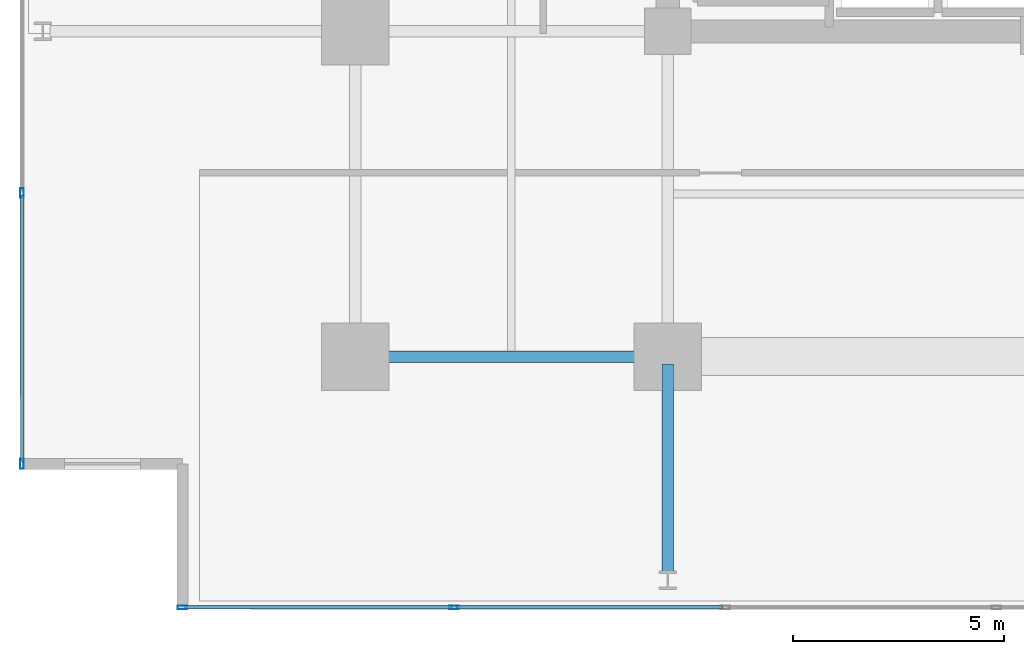
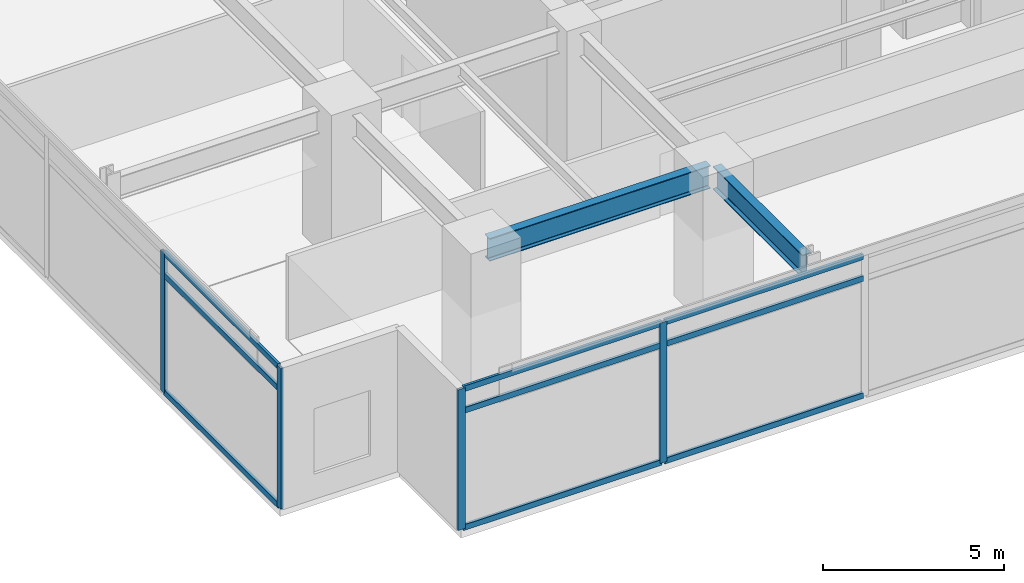
# One storey, part 2 of 20: 13 members, 2 beams, 2 elements without a shape of their own.
"""IFC4 building model written with IfcOpenShell, lengths in metres."""

from ifc_helpers import new_model, si_unit, direction, frame, origin, origin_2d, place, context, subcontext, project, spatial, hollow_rectangle, i_section, extrude, material, material_profile, profile_set, type_object, element, aggregate, save


model = new_model("IFC4")

# Units and contexts
model_context = context("Model", 3, precision=1e-05, world=origin(), true_north=direction((0.0, 1.0)))
body_context = subcontext(model_context, "Body", "Model", "MODEL_VIEW")
ifc_project = project(units=[si_unit("LENGTHUNIT", "METRE"), si_unit("AREAUNIT", "SQUARE_METRE"), si_unit("VOLUMEUNIT", "CUBIC_METRE"), si_unit("PLANEANGLEUNIT", "RADIAN"), si_unit("MASSUNIT", "GRAM", prefix="KILO")], contexts=[model_context])

# Site, building, storey
site_placement = place(None, origin())
site = spatial("IfcSite", under=ifc_project, at=site_placement, CompositionType="ELEMENT")
building_placement = place(site_placement, origin())
building = spatial("IfcBuilding", under=site, at=building_placement, Name="Kovane Verandah Tower", CompositionType="ELEMENT")
storey_placement = place(building_placement, frame((0.0, 0.0, 123.39990234375)))
storey = spatial("IfcBuildingStorey", under=building, at=storey_placement, Name="L28", CompositionType="ELEMENT", Elevation=123.39990234375)

# Beams
ifc_material_1 = material(Name="Steel S355", Category="steel")
ifc_material_profile_1 = material_profile(ifc_material_1, i_section(OverallWidth=0.26806640625, OverallDepth=0.769775390625, WebThickness=0.015625, FlangeThickness=0.025390625, FilletRadius=0.0166015625, at=origin_2d()), Name="UB762x267x197")
ifc_profile_set_1 = profile_set([ifc_material_profile_1], Name="Steel S355")
beam_type = type_object("IfcBeamType", Name="BM-UB762x197", PredefinedType="BEAM", material=ifc_profile_set_1)
beam_1_placement = place(storey_placement, frame((21.780029296875, 10.800048828125, 4.39013671875), z_axis=(1.0, 0.0, 0.0), x_axis=(0.0, 1.0, 0.0)))
element("IfcBeam", 1, at=beam_1_placement, inside=storey, type_object=beam_type, Name="L28 Primary Tower Girder G-RS1", PredefinedType="BEAM", context=body_context, shape_type="SweptSolid", body=[
    extrude(i_section(OverallWidth=0.26806640625, OverallDepth=0.769775390625, WebThickness=0.015625, FlangeThickness=0.025390625, FilletRadius=0.0166015625, at=origin_2d()), origin(), (0.0, 0.0, 1.0), 7.0400390625),
])
beam_2_placement = place(storey_placement, frame((29.0, 10.6201171875, 4.375244140625), z_axis=(0.0, -1.0, 0.0), x_axis=(1.0, 0.0, 0.0)))
element("IfcBeam", 2, at=beam_2_placement, inside=storey, type_object=beam_type, Name="L28 Primary Tower Girder G-VS1", PredefinedType="BEAM", context=body_context, shape_type="SweptSolid", body=[
    extrude(i_section(OverallWidth=0.26806640625, OverallDepth=0.769775390625, WebThickness=0.015625, FlangeThickness=0.025390625, FilletRadius=0.0166015625, at=origin_2d()), origin(), (0.0, 0.0, 1.0), 4.940185546875),
])

# Curtain wall, members
ifc_material_2 = material(Name="Champagne Anodised Aluminium Frame with Low-E Clear Laminated Glass", Category="aluminium")
curtain_wall_type = type_object("IfcCurtainWallType", Name="CW-SYS-03-MID", PredefinedType="NOTDEFINED", material=ifc_material_2)
curtain_wall_1_placement = place(storey_placement, origin())
curtain_wall_1 = element("IfcCurtainWall", 3, at=curtain_wall_1_placement, inside=storey, type_object=curtain_wall_type, Name="L28 S Unitised Curtain Wall", PredefinedType="NOTDEFINED")
ifc_material_3 = material(Name="Champagne Anodised Aluminium 6063-T6", Category="aluminium")
ifc_material_profile_2 = material_profile(ifc_material_3, hollow_rectangle(XDim=0.0849609375, YDim=0.22998046875, WallThickness=0.00390625, at=origin_2d()), Name="AL85x230x4")
ifc_profile_set_2 = profile_set([ifc_material_profile_2], Name="Champagne Anodised Aluminium 6063-T6")
member_type_1 = type_object("IfcMemberType", Name="CW-MUL-85x230", PredefinedType="MULLION", material=ifc_profile_set_2)
member_1_placement = place(storey_placement, frame((17.515380859375, 4.86083984375, 0.02001953125), z_axis=(0.0, 0.0, 1.0), x_axis=(0.0, -1.0, 0.0)))
member_1 = element("IfcMember", 4, at=member_1_placement, type_object=member_type_1, Name="L28 S Unitised Curtain Wall Mullion 1", PredefinedType="MULLION", context=body_context, shape_type="SweptSolid", body=[
    extrude(hollow_rectangle(XDim=0.0849609375, YDim=0.22998046875, WallThickness=0.00390625, at=origin_2d()), origin(), (0.0, 0.0, 1.0), 4.735107421875),
])
member_2_placement = place(storey_placement, frame((23.939697265625, 4.86083984375, 0.02001953125), z_axis=(0.0, 0.0, 1.0), x_axis=(0.0, -1.0, 0.0)))
member_2 = element("IfcMember", 5, at=member_2_placement, type_object=member_type_1, Name="L28 S Unitised Curtain Wall Mullion 2", PredefinedType="MULLION", context=body_context, shape_type="SweptSolid", body=[
    extrude(hollow_rectangle(XDim=0.0849609375, YDim=0.22998046875, WallThickness=0.00390625, at=origin_2d()), origin(), (0.0, 0.0, 1.0), 4.735107421875),
])

curtain_wall_2_placement = place(storey_placement, origin())
curtain_wall_2 = element("IfcCurtainWall", 6, at=curtain_wall_2_placement, inside=storey, type_object=curtain_wall_type, Name="L28 W Unitised Curtain Wall", PredefinedType="NOTDEFINED")
member_3_placement = place(storey_placement, frame((13.71533203125, 14.673828125, 0.02001953125), z_axis=(0.0, 0.0, 1.0), x_axis=(-1.0, 0.0, 0.0)))
member_3 = element("IfcMember", 7, at=member_3_placement, type_object=member_type_1, Name="L28 W Unitised Curtain Wall Mullion 6", PredefinedType="MULLION", context=body_context, shape_type="SweptSolid", body=[
    extrude(hollow_rectangle(XDim=0.0849609375, YDim=0.22998046875, WallThickness=0.00390625, at=origin_2d()), origin(), (0.0, 0.0, 1.0), 4.735107421875),
])
member_4_placement = place(storey_placement, frame((13.71533203125, 8.2607421875, 0.02001953125), z_axis=(0.0, 0.0, 1.0), x_axis=(-1.0, 0.0, 0.0)))
member_4 = element("IfcMember", 8, at=member_4_placement, type_object=member_type_1, Name="L28 W Unitised Curtain Wall Mullion 7", PredefinedType="MULLION", context=body_context, shape_type="SweptSolid", body=[
    extrude(hollow_rectangle(XDim=0.0849609375, YDim=0.22998046875, WallThickness=0.00390625, at=origin_2d()), origin(), (0.0, 0.0, 1.0), 4.735107421875),
])

# Member
ifc_material_profile_3 = material_profile(ifc_material_3, hollow_rectangle(XDim=0.0849609375, YDim=0.18994140625, WallThickness=0.00390625, at=origin_2d()), Name="AL85x190x4")
ifc_profile_set_3 = profile_set([ifc_material_profile_3], Name="Champagne Anodised Aluminium 6063-T6")
member_type_2 = type_object("IfcMemberType", Name="CW-TRN-85x190", PredefinedType="USERDEFINED", material=ifc_profile_set_3)
member_5_placement = place(storey_placement, frame((17.5654296875, 4.86083984375, 0.050048828125), z_axis=(1.0, 0.0, 0.0), x_axis=(0.0, 1.0, 0.0)))
member_5 = element("IfcMember", 9, at=member_5_placement, type_object=member_type_2, Name="L28 S Unitised Curtain Wall Transom TB Bay 1", ObjectType="TRANSOM", PredefinedType="USERDEFINED", context=body_context, shape_type="SweptSolid", body=[
    extrude(hollow_rectangle(XDim=0.0849609375, YDim=0.18994140625, WallThickness=0.00390625, at=origin_2d()), origin(), (0.0, 0.0, 1.0), 6.32421875),
])

member_6_placement = place(storey_placement, frame((17.5654296875, 4.86083984375, 3.9951171875), z_axis=(1.0, 0.0, 0.0), x_axis=(0.0, 1.0, 0.0)))
member_6 = element("IfcMember", 10, at=member_6_placement, type_object=member_type_2, Name="L28 S Unitised Curtain Wall Transom TM Bay 1", ObjectType="TRANSOM", PredefinedType="USERDEFINED", context=body_context, shape_type="SweptSolid", body=[
    extrude(hollow_rectangle(XDim=0.0849609375, YDim=0.18994140625, WallThickness=0.00390625, at=origin_2d()), origin(), (0.0, 0.0, 1.0), 6.32421875),
])

member_7_placement = place(storey_placement, frame((17.5654296875, 4.86083984375, 4.72509765625), z_axis=(1.0, 0.0, 0.0), x_axis=(0.0, 1.0, 0.0)))
member_7 = element("IfcMember", 11, at=member_7_placement, type_object=member_type_2, Name="L28 S Unitised Curtain Wall Transom TT Bay 1", ObjectType="TRANSOM", PredefinedType="USERDEFINED", context=body_context, shape_type="SweptSolid", body=[
    extrude(hollow_rectangle(XDim=0.0849609375, YDim=0.18994140625, WallThickness=0.00390625, at=origin_2d()), origin(), (0.0, 0.0, 1.0), 6.32421875),
])

member_8_placement = place(storey_placement, frame((23.989501953125, 4.86083984375, 0.050048828125), z_axis=(1.0, 0.0, 0.0), x_axis=(0.0, 1.0, 0.0)))
member_8 = element("IfcMember", 12, at=member_8_placement, type_object=member_type_2, Name="L28 S Unitised Curtain Wall Transom TB Bay 2", ObjectType="TRANSOM", PredefinedType="USERDEFINED", context=body_context, shape_type="SweptSolid", body=[
    extrude(hollow_rectangle(XDim=0.0849609375, YDim=0.18994140625, WallThickness=0.00390625, at=origin_2d()), origin(), (0.0, 0.0, 1.0), 6.32421875),
])

member_9_placement = place(storey_placement, frame((23.989501953125, 4.86083984375, 3.9951171875), z_axis=(1.0, 0.0, 0.0), x_axis=(0.0, 1.0, 0.0)))
member_9 = element("IfcMember", 13, at=member_9_placement, type_object=member_type_2, Name="L28 S Unitised Curtain Wall Transom TM Bay 2", ObjectType="TRANSOM", PredefinedType="USERDEFINED", context=body_context, shape_type="SweptSolid", body=[
    extrude(hollow_rectangle(XDim=0.0849609375, YDim=0.18994140625, WallThickness=0.00390625, at=origin_2d()), origin(), (0.0, 0.0, 1.0), 6.32421875),
])

member_10_placement = place(storey_placement, frame((23.989501953125, 4.86083984375, 4.72509765625), z_axis=(1.0, 0.0, 0.0), x_axis=(0.0, 1.0, 0.0)))
member_10 = element("IfcMember", 14, at=member_10_placement, type_object=member_type_2, Name="L28 S Unitised Curtain Wall Transom TT Bay 2", ObjectType="TRANSOM", PredefinedType="USERDEFINED", context=body_context, shape_type="SweptSolid", body=[
    extrude(hollow_rectangle(XDim=0.0849609375, YDim=0.18994140625, WallThickness=0.00390625, at=origin_2d()), origin(), (0.0, 0.0, 1.0), 6.32421875),
])

aggregate(curtain_wall_1, [member_1, member_2, member_5, member_6, member_7, member_8, member_9, member_10])

member_11_placement = place(storey_placement, frame((13.71533203125, 14.623779296875, 0.050048828125), z_axis=(0.0, -1.0, 0.0), x_axis=(1.0, 0.0, 0.0)))
member_11 = element("IfcMember", 15, at=member_11_placement, type_object=member_type_2, Name="L28 W Unitised Curtain Wall Transom TB Bay 6", ObjectType="TRANSOM", PredefinedType="USERDEFINED", context=body_context, shape_type="SweptSolid", body=[
    extrude(hollow_rectangle(XDim=0.0849609375, YDim=0.18994140625, WallThickness=0.00390625, at=origin_2d()), origin(), (0.0, 0.0, 1.0), 6.31298828125),
])

member_12_placement = place(storey_placement, frame((13.71533203125, 14.623779296875, 3.9951171875), z_axis=(0.0, -1.0, 0.0), x_axis=(1.0, 0.0, 0.0)))
member_12 = element("IfcMember", 16, at=member_12_placement, type_object=member_type_2, Name="L28 W Unitised Curtain Wall Transom TM Bay 6", ObjectType="TRANSOM", PredefinedType="USERDEFINED", context=body_context, shape_type="SweptSolid", body=[
    extrude(hollow_rectangle(XDim=0.0849609375, YDim=0.18994140625, WallThickness=0.00390625, at=origin_2d()), origin(), (0.0, 0.0, 1.0), 6.31298828125),
])

member_13_placement = place(storey_placement, frame((13.71533203125, 14.623779296875, 4.72509765625), z_axis=(0.0, -1.0, 0.0), x_axis=(1.0, 0.0, 0.0)))
member_13 = element("IfcMember", 17, at=member_13_placement, type_object=member_type_2, Name="L28 W Unitised Curtain Wall Transom TT Bay 6", ObjectType="TRANSOM", PredefinedType="USERDEFINED", context=body_context, shape_type="SweptSolid", body=[
    extrude(hollow_rectangle(XDim=0.0849609375, YDim=0.18994140625, WallThickness=0.00390625, at=origin_2d()), origin(), (0.0, 0.0, 1.0), 6.31298828125),
])

aggregate(curtain_wall_2, [member_3, member_4, member_11, member_12, member_13])

save(model, "model.ifc")
